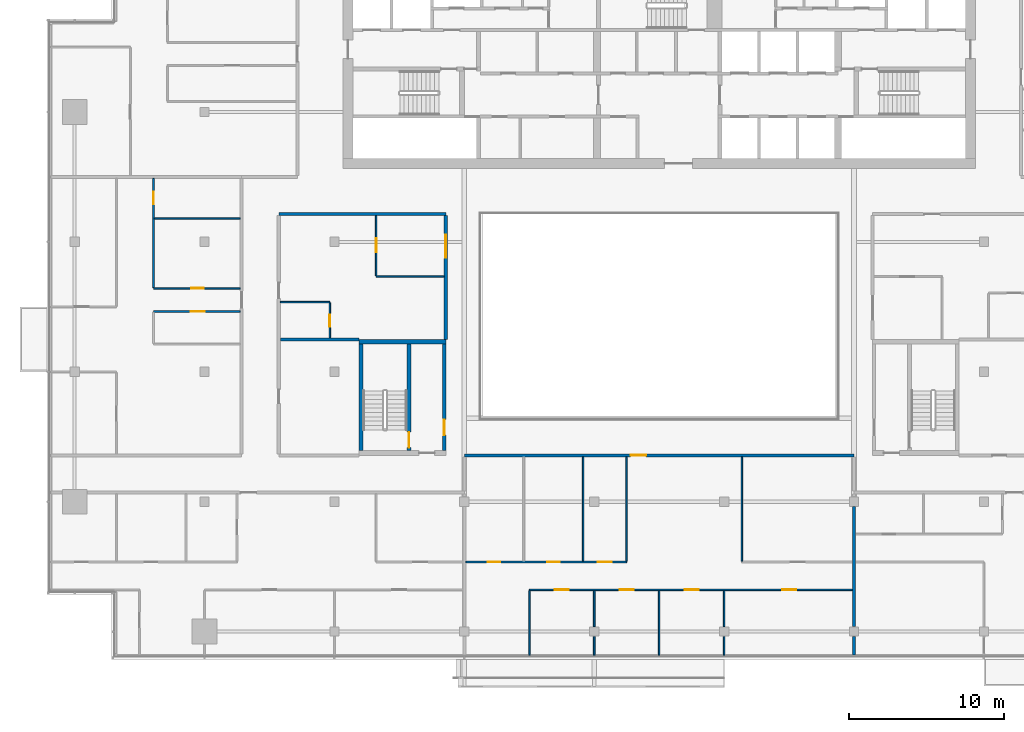
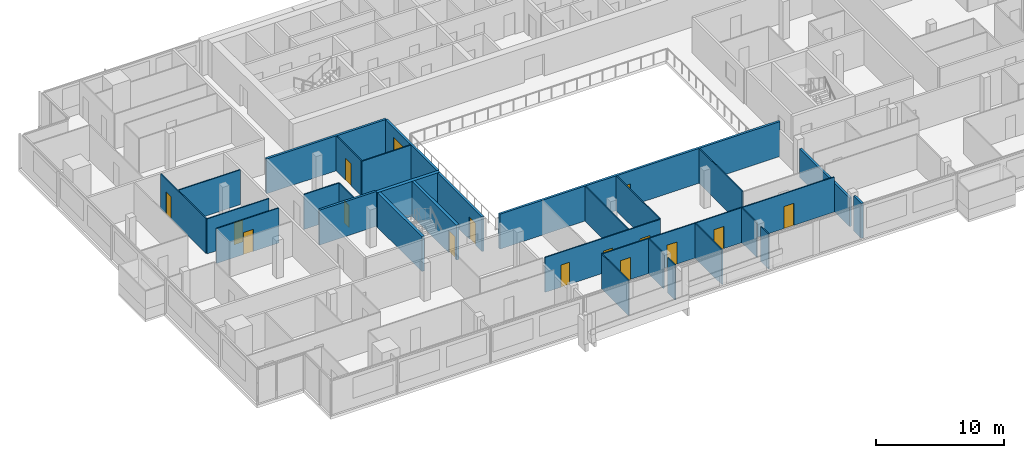
# One storey, part 18 of 26: 29 walls, 15 doors, 1 window, 16 openings.
"""IFC4 building model written with IfcOpenShell, lengths in metres."""

from ifc_helpers import new_model, si_unit, direction, frame, frame_2d, origin, place, context, subcontext, project, spatial, rectangle, extrude, material, layer, layer_set, type_object, element, fill, save


model = new_model("IFC4")

# Units and contexts
model_context = context("Model", 3, precision=1e-05, world=origin(), true_north=direction((0.0, 1.0)))
body_context = subcontext(model_context, "Body", "Model", "MODEL_VIEW")
ifc_project = project(units=[si_unit("LENGTHUNIT", "METRE"), si_unit("AREAUNIT", "SQUARE_METRE"), si_unit("VOLUMEUNIT", "CUBIC_METRE"), si_unit("PLANEANGLEUNIT", "RADIAN"), si_unit("MASSUNIT", "GRAM", prefix="KILO")], contexts=[model_context])

# Site, building, storey
site_placement = place(None, origin())
site = spatial("IfcSite", under=ifc_project, at=site_placement, CompositionType="ELEMENT")
building_placement = place(site_placement, origin())
building = spatial("IfcBuilding", under=site, at=building_placement, Name="Saffron Gate Tower", CompositionType="ELEMENT")
storey_placement = place(building_placement, frame((0.0, 0.0, 230.699951171875)))
storey = spatial("IfcBuildingStorey", under=building, at=storey_placement, Name="L56", CompositionType="ELEMENT", Elevation=230.699951171875)

# Wall, opening, door
ifc_material_1 = material(Name="Gypsum board partition on steel studs", Category="steel")
ifc_layer_1 = layer(ifc_material_1, 0.199951171875)
ifc_layer_set_1 = layer_set([ifc_layer_1], Name="CW10 Core partition 200")
wall_type_1 = type_object("IfcWallType", Name="CW10 Core partition 200", PredefinedType="PARTITIONING", material=ifc_layer_set_1)
wall_1_placement = place(storey_placement, frame((73.699951171875, 43.5, 0.0), z_axis=(0.0, 0.0, 1.0), x_axis=(0.0, 1.0, 0.0)))
wall_1 = element("IfcWall", 1, at=wall_1_placement, inside=storey, type_object=wall_type_1, Name="Wall CW10-L56-D-4", PredefinedType="PARTITIONING", context=body_context, shape_type="SweptSolid", body=[
    extrude(rectangle(XDim=6.89990234375, YDim=0.199951171875, at=frame_2d((3.449951171875, 0.0))), origin(), (0.0, 0.0, 1.0), 3.320068359375),
])
opening_1_placement = place(wall_1_placement, frame((1.0, 0.0, 0.0)))
opening_1 = element("IfcOpeningElement", 2, at=opening_1_placement, cuts=wall_1, Name="Opening CR-19", PredefinedType="OPENING", context=body_context, shape_type="SweptSolid", body=[
    extrude(rectangle(XDim=1.0, YDim=2.10009765625, at=frame_2d((0.5, 1.050048828125))), frame((0.0, 0.10986328125, 0.0), z_axis=(0.0, -1.0, 0.0), x_axis=(1.0, 0.0, 0.0)), (0.0, 0.0, 1.0), 0.219970703125),
])
ifc_material_2 = material(Name="Steel fire door set", Category="steel")
door_type_1 = type_object("IfcDoorType", Name="CD4 Lobby door 1000x2100 EI 120", OperationType="NOTDEFINED", PredefinedType="DOOR", material=ifc_material_2)
door_1_placement = place(opening_1_placement, origin())
door_1 = element("IfcDoor", 3, at=door_1_placement, inside=storey, type_object=door_type_1, Name="DOOR CR-19", OperationType="SINGLE_SWING_RIGHT", OverallHeight=2.10009765625, OverallWidth=1.0, PredefinedType="DOOR", context=body_context, shape_type="SweptSolid", body=[
    extrude(rectangle(XDim=1.0, YDim=2.10009765625, at=frame_2d((0.5, 1.050048828125))), frame((0.0, 0.02490234375, 0.0), z_axis=(0.0, -1.0, 0.0), x_axis=(1.0, 0.0, 0.0)), (0.0, 0.0, 1.0), 0.050048828125),
])
fill(opening_1, door_1)

# Wall
ifc_material_3 = material(Name="Concrete C60", Category="concrete")
ifc_layer_2 = layer(ifc_material_3, 0.25)
ifc_layer_set_2 = layer_set([ifc_layer_2], Name="CW14 RC core wall 250 C60")
wall_type_2 = type_object("IfcWallType", Name="CW14 RC core wall 250 C60", PredefinedType="SOLIDWALL", material=ifc_layer_set_2)
wall_2_placement = place(storey_placement, frame((68.324951171875, 43.5, 0.0), z_axis=(0.0, 0.0, 1.0), x_axis=(0.0, 1.0, 0.0)))
element("IfcWall", 4, at=wall_2_placement, inside=storey, type_object=wall_type_2, Name="Wall CW14-L56-D-2", PredefinedType="SOLIDWALL", context=body_context, shape_type="SweptSolid", body=[
    extrude(rectangle(XDim=6.89990234375, YDim=0.25, at=frame_2d((3.449951171875, 0.0))), origin(), (0.0, 0.0, 1.0), 3.320068359375),
])

# Wall, opening, door
wall_3_placement = place(storey_placement, frame((71.425048828125, 43.5, 0.0), z_axis=(0.0, 0.0, 1.0), x_axis=(0.0, 1.0, 0.0)))
wall_3 = element("IfcWall", 5, at=wall_3_placement, inside=storey, type_object=wall_type_2, Name="Wall CW14-L56-D-3", PredefinedType="SOLIDWALL", context=body_context, shape_type="SweptSolid", body=[
    extrude(rectangle(XDim=6.89990234375, YDim=0.25, at=frame_2d((3.449951171875, 0.0))), origin(), (0.0, 0.0, 1.0), 3.320068359375),
])
opening_2_placement = place(wall_3_placement, frame((0.199951171875, 0.0, 0.0)))
opening_2 = element("IfcOpeningElement", 6, at=opening_2_placement, cuts=wall_3, Name="Opening CR-20", PredefinedType="OPENING", context=body_context, shape_type="SweptSolid", body=[
    extrude(rectangle(XDim=1.0, YDim=2.10009765625, at=frame_2d((0.5, 1.050048828125))), frame((0.0, 0.135009765625, 0.0), z_axis=(0.0, -1.0, 0.0), x_axis=(1.0, 0.0, 0.0)), (0.0, 0.0, 1.0), 0.27001953125),
])
door_type_2 = type_object("IfcDoorType", Name="CD5 Stair door 1000x2100 EI 120", OperationType="NOTDEFINED", PredefinedType="DOOR", material=ifc_material_2)
door_2_placement = place(opening_2_placement, origin())
door_2 = element("IfcDoor", 7, at=door_2_placement, inside=storey, type_object=door_type_2, Name="DOOR CR-20", OperationType="SINGLE_SWING_LEFT", OverallHeight=2.10009765625, OverallWidth=1.0, PredefinedType="DOOR", context=body_context, shape_type="SweptSolid", body=[
    extrude(rectangle(XDim=1.0, YDim=2.10009765625, at=frame_2d((0.5, 1.050048828125))), frame((0.0, 0.02490234375, 0.0), z_axis=(0.0, -1.0, 0.0), x_axis=(1.0, 0.0, 0.0)), (0.0, 0.0, 1.0), 0.050048828125),
])
fill(opening_2, door_2)

# Wall
ifc_layer_3 = layer(ifc_material_3, 0.300048828125)
ifc_layer_set_3 = layer_set([ifc_layer_3], Name="CW17 RC core wall 300 C60")
wall_type_3 = type_object("IfcWallType", Name="CW17 RC core wall 300 C60", PredefinedType="SOLIDWALL", material=ifc_layer_set_3)
wall_4_placement = place(storey_placement, frame((68.199951171875, 50.550048828125, 0.0), z_axis=(0.0, 0.0, 1.0), x_axis=(1.0, 0.0, 0.0)))
element("IfcWall", 8, at=wall_4_placement, inside=storey, type_object=wall_type_3, Name="Wall CW17-L56-D-5", PredefinedType="SOLIDWALL", context=body_context, shape_type="SweptSolid", body=[
    extrude(rectangle(XDim=5.60009765625, YDim=0.300048828125, at=frame_2d((2.800048828125, 0.0))), origin(), (0.0, 0.0, 1.0), 3.320068359375),
])

# Wall, openings, doors
ifc_material_4 = material(Name="Plasterboard on steel studs", Category="steel")
ifc_layer_4 = layer(ifc_material_4, 0.10009765625)
ifc_layer_set_4 = layer_set([ifc_layer_4], Name="PW1 Partition 100")
wall_type_4 = type_object("IfcWallType", Name="PW1 Partition 100", PredefinedType="PARTITIONING", material=ifc_layer_set_4)
wall_5_placement = place(storey_placement, frame((100.10009765625, 34.5, 0.0), z_axis=(0.0, 0.0, 1.0), x_axis=(-1.0, 0.0, 0.0)))
wall_5 = element("IfcWall", 9, at=wall_5_placement, inside=storey, type_object=wall_type_4, Name="Partition D3-3", PredefinedType="PARTITIONING", context=body_context, shape_type="SweptSolid", body=[
    extrude(rectangle(XDim=20.900146484375, YDim=0.10009765625, at=frame_2d((10.4501953125, 0.0))), origin(), (0.0, 0.0, 1.0), 3.320068359375),
])
opening_3_placement = place(wall_5_placement, frame((3.64990234375, 0.0, 0.0)))
opening_3 = element("IfcOpeningElement", 10, at=opening_3_placement, cuts=wall_5, Name="Opening D3-18", PredefinedType="OPENING", context=body_context, shape_type="SweptSolid", body=[
    extrude(rectangle(XDim=0.89990234375, YDim=2.10009765625, at=frame_2d((0.449951171875, 1.050048828125))), frame((0.0, 0.06005859375, 0.0), z_axis=(0.0, -1.0, 0.0), x_axis=(1.0, 0.0, 0.0)), (0.0, 0.0, 1.0), 0.1201171875),
])
opening_4_placement = place(wall_5_placement, frame((9.949951171875, 0.0, 0.0)))
opening_4 = element("IfcOpeningElement", 11, at=opening_4_placement, cuts=wall_5, Name="Opening D3-17", PredefinedType="OPENING", context=body_context, shape_type="SweptSolid", body=[
    extrude(rectangle(XDim=0.89990234375, YDim=2.10009765625, at=frame_2d((0.449951171875, 1.050048828125))), frame((0.0, 0.06005859375, 0.0), z_axis=(0.0, -1.0, 0.0), x_axis=(1.0, 0.0, 0.0)), (0.0, 0.0, 1.0), 0.1201171875),
])
opening_5_placement = place(wall_5_placement, frame((14.14990234375, 0.0, 0.0)))
opening_5 = element("IfcOpeningElement", 12, at=opening_5_placement, cuts=wall_5, Name="Opening D3-16", PredefinedType="OPENING", context=body_context, shape_type="SweptSolid", body=[
    extrude(rectangle(XDim=0.89990234375, YDim=2.10009765625, at=frame_2d((0.449951171875, 1.050048828125))), frame((0.0, 0.06005859375, 0.0), z_axis=(0.0, -1.0, 0.0), x_axis=(1.0, 0.0, 0.0)), (0.0, 0.0, 1.0), 0.1201171875),
])
opening_6_placement = place(wall_5_placement, frame((18.35009765625, 0.0, 0.0)))
opening_6 = element("IfcOpeningElement", 13, at=opening_6_placement, cuts=wall_5, Name="Opening D3-15", PredefinedType="OPENING", context=body_context, shape_type="SweptSolid", body=[
    extrude(rectangle(XDim=0.89990234375, YDim=2.10009765625, at=frame_2d((0.449951171875, 1.050048828125))), frame((0.0, 0.06005859375, 0.0), z_axis=(0.0, -1.0, 0.0), x_axis=(1.0, 0.0, 0.0)), (0.0, 0.0, 1.0), 0.1201171875),
])
ifc_material_5 = material(Name="Timber door set", Category="wood")
door_type_3 = type_object("IfcDoorType", Name="RD1 Room door 900x2100", OperationType="NOTDEFINED", PredefinedType="DOOR", material=ifc_material_5)
door_3_placement = place(opening_3_placement, origin())
door_3 = element("IfcDoor", 14, at=door_3_placement, inside=storey, type_object=door_type_3, Name="Door D3-18", OperationType="SINGLE_SWING_LEFT", OverallHeight=2.10009765625, OverallWidth=0.89990234375, PredefinedType="DOOR", context=body_context, shape_type="SweptSolid", body=[
    extrude(rectangle(XDim=0.89990234375, YDim=2.10009765625, at=frame_2d((0.449951171875, 1.050048828125))), frame((0.0, 0.02490234375, 0.0), z_axis=(0.0, -1.0, 0.0), x_axis=(1.0, 0.0, 0.0)), (0.0, 0.0, 1.0), 0.050048828125),
])
fill(opening_3, door_3)
door_4_placement = place(opening_4_placement, origin())
door_4 = element("IfcDoor", 15, at=door_4_placement, inside=storey, type_object=door_type_3, Name="Door D3-17", OperationType="SINGLE_SWING_LEFT", OverallHeight=2.10009765625, OverallWidth=0.89990234375, PredefinedType="DOOR", context=body_context, shape_type="SweptSolid", body=[
    extrude(rectangle(XDim=0.89990234375, YDim=2.10009765625, at=frame_2d((0.449951171875, 1.050048828125))), frame((0.0, 0.02490234375, 0.0), z_axis=(0.0, -1.0, 0.0), x_axis=(1.0, 0.0, 0.0)), (0.0, 0.0, 1.0), 0.050048828125),
])
fill(opening_4, door_4)
door_5_placement = place(opening_5_placement, origin())
door_5 = element("IfcDoor", 16, at=door_5_placement, inside=storey, type_object=door_type_3, Name="Door D3-16", OperationType="SINGLE_SWING_RIGHT", OverallHeight=2.10009765625, OverallWidth=0.89990234375, PredefinedType="DOOR", context=body_context, shape_type="SweptSolid", body=[
    extrude(rectangle(XDim=0.89990234375, YDim=2.10009765625, at=frame_2d((0.449951171875, 1.050048828125))), frame((0.0, 0.02490234375, 0.0), z_axis=(0.0, -1.0, 0.0), x_axis=(1.0, 0.0, 0.0)), (0.0, 0.0, 1.0), 0.050048828125),
])
fill(opening_5, door_5)
door_6_placement = place(opening_6_placement, origin())
door_6 = element("IfcDoor", 17, at=door_6_placement, inside=storey, type_object=door_type_3, Name="Door D3-15", OperationType="SINGLE_SWING_LEFT", OverallHeight=2.10009765625, OverallWidth=0.89990234375, PredefinedType="DOOR", context=body_context, shape_type="SweptSolid", body=[
    extrude(rectangle(XDim=0.89990234375, YDim=2.10009765625, at=frame_2d((0.449951171875, 1.050048828125))), frame((0.0, 0.02490234375, 0.0), z_axis=(0.0, -1.0, 0.0), x_axis=(1.0, 0.0, 0.0)), (0.0, 0.0, 1.0), 0.050048828125),
])
fill(opening_6, door_6)

# Wall, opening, door
wall_6_placement = place(storey_placement, frame((60.5, 52.5, 0.0), z_axis=(0.0, 0.0, 1.0), x_axis=(-1.0, 0.0, 0.0)))
wall_6 = element("IfcWall", 18, at=wall_6_placement, inside=storey, type_object=wall_type_4, Name="Partition D3-26", PredefinedType="PARTITIONING", context=body_context, shape_type="SweptSolid", body=[
    extrude(rectangle(XDim=5.60009765625, YDim=0.10009765625, at=frame_2d((2.800048828125, 0.0))), origin(), (0.0, 0.0, 1.0), 3.320068359375),
])
opening_7_placement = place(wall_6_placement, frame((2.300048828125, 0.0, 0.0)))
opening_7 = element("IfcOpeningElement", 19, at=opening_7_placement, cuts=wall_6, Name="Opening D3-27", PredefinedType="OPENING", context=body_context, shape_type="SweptSolid", body=[
    extrude(rectangle(XDim=0.89990234375, YDim=2.10009765625, at=frame_2d((0.449951171875, 1.050048828125))), frame((0.0, 0.06005859375, 0.0), z_axis=(0.0, -1.0, 0.0), x_axis=(1.0, 0.0, 0.0)), (0.0, 0.0, 1.0), 0.1201171875),
])
door_7_placement = place(opening_7_placement, origin())
door_7 = element("IfcDoor", 20, at=door_7_placement, inside=storey, type_object=door_type_3, Name="Door D3-27", OperationType="SINGLE_SWING_LEFT", OverallHeight=2.10009765625, OverallWidth=0.89990234375, PredefinedType="DOOR", context=body_context, shape_type="SweptSolid", body=[
    extrude(rectangle(XDim=0.89990234375, YDim=2.10009765625, at=frame_2d((0.449951171875, 1.050048828125))), frame((0.0, 0.02490234375, 0.0), z_axis=(0.0, -1.0, 0.0), x_axis=(1.0, 0.0, 0.0)), (0.0, 0.0, 1.0), 0.050048828125),
])
fill(opening_7, door_7)

# Wall
wall_7_placement = place(storey_placement, frame((63.10009765625, 53.10009765625, 0.0), z_axis=(0.0, 0.0, 1.0), x_axis=(1.0, 0.0, 0.0)))
element("IfcWall", 21, at=wall_7_placement, inside=storey, type_object=wall_type_4, Name="Partition D3-29", PredefinedType="PARTITIONING", context=body_context, shape_type="SweptSolid", body=[
    extrude(rectangle(XDim=3.199951171875, YDim=0.10009765625, at=frame_2d((1.60009765625, 0.0))), origin(), (0.0, 0.0, 1.0), 3.320068359375),
])

# Wall, opening, door
wall_8_placement = place(storey_placement, frame((54.89990234375, 54.0, 0.0), z_axis=(0.0, 0.0, 1.0), x_axis=(1.0, 0.0, 0.0)))
wall_8 = element("IfcWall", 22, at=wall_8_placement, inside=storey, type_object=wall_type_4, Name="Partition D3-31", PredefinedType="PARTITIONING", context=body_context, shape_type="SweptSolid", body=[
    extrude(rectangle(XDim=5.60009765625, YDim=0.10009765625, at=frame_2d((2.800048828125, 0.0))), origin(), (0.0, 0.0, 1.0), 3.320068359375),
])
opening_8_placement = place(wall_8_placement, frame((2.449951171875, 0.0, 0.0)))
opening_8 = element("IfcOpeningElement", 23, at=opening_8_placement, cuts=wall_8, Name="Opening D3-45", PredefinedType="OPENING", context=body_context, shape_type="SweptSolid", body=[
    extrude(rectangle(XDim=0.800048828125, YDim=2.10009765625, at=frame_2d((0.39990234375, 1.050048828125))), frame((0.0, 0.06005859375, 0.0), z_axis=(0.0, -1.0, 0.0), x_axis=(1.0, 0.0, 0.0)), (0.0, 0.0, 1.0), 0.1201171875),
])
door_type_4 = type_object("IfcDoorType", Name="RD2 Bathroom door 800x2100", OperationType="NOTDEFINED", PredefinedType="DOOR", material=ifc_material_5)
door_8_placement = place(opening_8_placement, origin())
door_8 = element("IfcDoor", 24, at=door_8_placement, inside=storey, type_object=door_type_4, Name="Door D3-45", OperationType="SINGLE_SWING_RIGHT", OverallHeight=2.10009765625, OverallWidth=0.800048828125, PredefinedType="DOOR", context=body_context, shape_type="SweptSolid", body=[
    extrude(rectangle(XDim=0.800048828125, YDim=2.10009765625, at=frame_2d((0.39990234375, 1.050048828125))), frame((0.0, 0.02490234375, 0.0), z_axis=(0.0, -1.0, 0.0), x_axis=(1.0, 0.0, 0.0)), (0.0, 0.0, 1.0), 0.050048828125),
])
fill(opening_8, door_8)

# Walls
wall_9_placement = place(storey_placement, frame((69.300048828125, 54.75, 0.0), z_axis=(0.0, 0.0, 1.0), x_axis=(1.0, 0.0, 0.0)))
element("IfcWall", 25, at=wall_9_placement, inside=storey, type_object=wall_type_4, Name="Partition D3-32", PredefinedType="PARTITIONING", context=body_context, shape_type="SweptSolid", body=[
    extrude(rectangle(XDim=4.39990234375, YDim=0.10009765625, at=frame_2d((2.199951171875, 0.0))), origin(), (0.0, 0.0, 1.0), 3.320068359375),
])
wall_10_placement = place(storey_placement, frame((54.949951171875, 58.5, 0.0), z_axis=(0.0, 0.0, 1.0), x_axis=(1.0, 0.0, 0.0)))
element("IfcWall", 26, at=wall_10_placement, inside=storey, type_object=wall_type_4, Name="Partition D3-35", PredefinedType="PARTITIONING", context=body_context, shape_type="SweptSolid", body=[
    extrude(rectangle(XDim=5.550048828125, YDim=0.10009765625, at=frame_2d((2.77490234375, 0.0))), origin(), (0.0, 0.0, 1.0), 3.320068359375),
])

# Wall, opening, door
wall_11_placement = place(storey_placement, frame((54.89990234375, 61.10009765625, 0.0), z_axis=(0.0, 0.0, 1.0), x_axis=(0.0, -1.0, 0.0)))
wall_11 = element("IfcWall", 27, at=wall_11_placement, inside=storey, type_object=wall_type_4, Name="Partition D3-61", PredefinedType="PARTITIONING", context=body_context, shape_type="SweptSolid", body=[
    extrude(rectangle(XDim=7.050048828125, YDim=0.10009765625, at=frame_2d((3.52490234375, 0.0))), origin(), (0.0, 0.0, 1.0), 3.320068359375),
])
opening_9_placement = place(wall_11_placement, frame((0.85009765625, 0.0, 0.0)))
opening_9 = element("IfcOpeningElement", 28, at=opening_9_placement, cuts=wall_11, Name="Opening D3-46", PredefinedType="OPENING", context=body_context, shape_type="SweptSolid", body=[
    extrude(rectangle(XDim=0.800048828125, YDim=2.10009765625, at=frame_2d((0.39990234375, 1.050048828125))), frame((0.0, 0.06005859375, 0.0), z_axis=(0.0, -1.0, 0.0), x_axis=(1.0, 0.0, 0.0)), (0.0, 0.0, 1.0), 0.1201171875),
])
door_9_placement = place(opening_9_placement, origin())
door_9 = element("IfcDoor", 29, at=door_9_placement, inside=storey, type_object=door_type_4, Name="Door D3-46", OperationType="SINGLE_SWING_LEFT", OverallHeight=2.10009765625, OverallWidth=0.800048828125, PredefinedType="DOOR", context=body_context, shape_type="SweptSolid", body=[
    extrude(rectangle(XDim=0.800048828125, YDim=2.10009765625, at=frame_2d((0.39990234375, 1.050048828125))), frame((0.0, 0.02490234375, 0.0), z_axis=(0.0, -1.0, 0.0), x_axis=(1.0, 0.0, 0.0)), (0.0, 0.0, 1.0), 0.050048828125),
])
fill(opening_9, door_9)

wall_12_placement = place(storey_placement, frame((66.300048828125, 50.800048828125, 0.0), z_axis=(0.0, 0.0, 1.0), x_axis=(0.0, 1.0, 0.0)))
wall_12 = element("IfcWall", 30, at=wall_12_placement, inside=storey, type_object=wall_type_4, Name="Partition D3-71", PredefinedType="PARTITIONING", context=body_context, shape_type="SweptSolid", body=[
    extrude(rectangle(XDim=2.25, YDim=0.10009765625, at=frame_2d((1.125, 0.0))), origin(), (0.0, 0.0, 1.0), 3.320068359375),
])
opening_10_placement = place(wall_12_placement, frame((0.699951171875, 0.0, 0.0)))
opening_10 = element("IfcOpeningElement", 31, at=opening_10_placement, cuts=wall_12, Name="Opening D3-52", PredefinedType="OPENING", context=body_context, shape_type="SweptSolid", body=[
    extrude(rectangle(XDim=0.800048828125, YDim=2.10009765625, at=frame_2d((0.39990234375, 1.050048828125))), frame((0.0, 0.06005859375, 0.0), z_axis=(0.0, -1.0, 0.0), x_axis=(1.0, 0.0, 0.0)), (0.0, 0.0, 1.0), 0.1201171875),
])
door_10_placement = place(opening_10_placement, origin())
door_10 = element("IfcDoor", 32, at=door_10_placement, inside=storey, type_object=door_type_4, Name="Door D3-52", OperationType="SINGLE_SWING_LEFT", OverallHeight=2.10009765625, OverallWidth=0.800048828125, PredefinedType="DOOR", context=body_context, shape_type="SweptSolid", body=[
    extrude(rectangle(XDim=0.800048828125, YDim=2.10009765625, at=frame_2d((0.39990234375, 1.050048828125))), frame((0.0, 0.02490234375, 0.0), z_axis=(0.0, -1.0, 0.0), x_axis=(1.0, 0.0, 0.0)), (0.0, 0.0, 1.0), 0.050048828125),
])
fill(opening_10, door_10)

wall_13_placement = place(storey_placement, frame((69.300048828125, 58.699951171875, 0.0), z_axis=(0.0, 0.0, 1.0), x_axis=(0.0, -1.0, 0.0)))
wall_13 = element("IfcWall", 33, at=wall_13_placement, inside=storey, type_object=wall_type_4, Name="Partition D3-75", PredefinedType="PARTITIONING", context=body_context, shape_type="SweptSolid", body=[
    extrude(rectangle(XDim=3.89990234375, YDim=0.10009765625, at=frame_2d((1.949951171875, 0.0))), origin(), (0.0, 0.0, 1.0), 3.320068359375),
])
opening_11_placement = place(wall_13_placement, frame((1.47509765625, 0.0, 0.0)))
opening_11 = element("IfcOpeningElement", 34, at=opening_11_placement, cuts=wall_13, Name="Opening D3-37", PredefinedType="OPENING", context=body_context, shape_type="SweptSolid", body=[
    extrude(rectangle(XDim=0.89990234375, YDim=2.10009765625, at=frame_2d((0.449951171875, 1.050048828125))), frame((0.0, 0.06005859375, 0.0), z_axis=(0.0, -1.0, 0.0), x_axis=(1.0, 0.0, 0.0)), (0.0, 0.0, 1.0), 0.1201171875),
])
door_11_placement = place(opening_11_placement, origin())
door_11 = element("IfcDoor", 35, at=door_11_placement, inside=storey, type_object=door_type_3, Name="Door D3-37", OperationType="SINGLE_SWING_LEFT", OverallHeight=2.10009765625, OverallWidth=0.89990234375, PredefinedType="DOOR", context=body_context, shape_type="SweptSolid", body=[
    extrude(rectangle(XDim=0.89990234375, YDim=2.10009765625, at=frame_2d((0.449951171875, 1.050048828125))), frame((0.0, 0.02490234375, 0.0), z_axis=(0.0, -1.0, 0.0), x_axis=(1.0, 0.0, 0.0)), (0.0, 0.0, 1.0), 0.050048828125),
])
fill(opening_11, door_11)

# Walls
wall_14_placement = place(storey_placement, frame((79.199951171875, 34.449951171875, 0.0), z_axis=(0.0, 0.0, 1.0), x_axis=(0.0, -1.0, 0.0)))
element("IfcWall", 36, at=wall_14_placement, inside=storey, type_object=wall_type_4, Name="Partition D3-82", PredefinedType="PARTITIONING", context=body_context, shape_type="SweptSolid", body=[
    extrude(rectangle(XDim=4.169921875, YDim=0.10009765625, at=frame_2d((2.0849609375, 0.0))), origin(), (0.0, 0.0, 1.0), 3.320068359375),
])
wall_15_placement = place(storey_placement, frame((82.68115234375, 43.10009765625, 0.0), z_axis=(0.0, 0.0, 1.0), x_axis=(0.0, -1.0, 0.0)))
element("IfcWall", 37, at=wall_15_placement, inside=storey, type_object=wall_type_4, Name="Partition D3-83", PredefinedType="PARTITIONING", context=body_context, shape_type="SweptSolid", body=[
    extrude(rectangle(XDim=6.75, YDim=0.10009765625, at=frame_2d((3.375, 0.0))), origin(), (0.0, 0.0, 1.0), 3.320068359375),
])
wall_16_placement = place(storey_placement, frame((83.39990234375, 31.47998046875, 0.0), z_axis=(0.0, 0.0, 1.0), x_axis=(0.0, -1.0, 0.0)))
element("IfcWall", 38, at=wall_16_placement, inside=storey, type_object=wall_type_4, Name="Partition D3-84", PredefinedType="PARTITIONING", context=body_context, shape_type="SweptSolid", body=[
    extrude(rectangle(XDim=1.199951171875, YDim=0.10009765625, at=frame_2d((0.60009765625, 0.0))), origin(), (0.0, 0.0, 1.0), 3.320068359375),
])
wall_17_placement = place(storey_placement, frame((83.39990234375, 34.449951171875, 0.0), z_axis=(0.0, 0.0, 1.0), x_axis=(0.0, -1.0, 0.0)))
element("IfcWall", 39, at=wall_17_placement, inside=storey, type_object=wall_type_4, Name="Partition D3-85", PredefinedType="PARTITIONING", context=body_context, shape_type="SweptSolid", body=[
    extrude(rectangle(XDim=2.329833984375, YDim=0.10009765625, at=frame_2d((1.1650390625, 0.0))), origin(), (0.0, 0.0, 1.0), 3.320068359375),
])
wall_18_placement = place(storey_placement, frame((85.5, 43.10009765625, 0.0), z_axis=(0.0, 0.0, 1.0), x_axis=(0.0, -1.0, 0.0)))
element("IfcWall", 40, at=wall_18_placement, inside=storey, type_object=wall_type_4, Name="Partition D3-86", PredefinedType="PARTITIONING", context=body_context, shape_type="SweptSolid", body=[
    extrude(rectangle(XDim=6.75, YDim=0.10009765625, at=frame_2d((3.375, 0.0))), origin(), (0.0, 0.0, 1.0), 3.320068359375),
])
wall_19_placement = place(storey_placement, frame((87.60009765625, 34.449951171875, 0.0), z_axis=(0.0, 0.0, 1.0), x_axis=(0.0, -1.0, 0.0)))
element("IfcWall", 41, at=wall_19_placement, inside=storey, type_object=wall_type_4, Name="Partition D3-87", PredefinedType="PARTITIONING", context=body_context, shape_type="SweptSolid", body=[
    extrude(rectangle(XDim=4.169921875, YDim=0.10009765625, at=frame_2d((2.0849609375, 0.0))), origin(), (0.0, 0.0, 1.0), 3.320068359375),
])
wall_20_placement = place(storey_placement, frame((91.800048828125, 31.47998046875, 0.0), z_axis=(0.0, 0.0, 1.0), x_axis=(0.0, -1.0, 0.0)))
element("IfcWall", 42, at=wall_20_placement, inside=storey, type_object=wall_type_4, Name="Partition D3-88", PredefinedType="PARTITIONING", context=body_context, shape_type="SweptSolid", body=[
    extrude(rectangle(XDim=1.199951171875, YDim=0.10009765625, at=frame_2d((0.60009765625, 0.0))), origin(), (0.0, 0.0, 1.0), 3.320068359375),
])
wall_21_placement = place(storey_placement, frame((91.800048828125, 34.449951171875, 0.0), z_axis=(0.0, 0.0, 1.0), x_axis=(0.0, -1.0, 0.0)))
element("IfcWall", 43, at=wall_21_placement, inside=storey, type_object=wall_type_4, Name="Partition D3-89", PredefinedType="PARTITIONING", context=body_context, shape_type="SweptSolid", body=[
    extrude(rectangle(XDim=2.329833984375, YDim=0.10009765625, at=frame_2d((1.1650390625, 0.0))), origin(), (0.0, 0.0, 1.0), 3.320068359375),
])
wall_22_placement = place(storey_placement, frame((92.94189453125, 43.10009765625, 0.0), z_axis=(0.0, 0.0, 1.0), x_axis=(0.0, -1.0, 0.0)))
element("IfcWall", 44, at=wall_22_placement, inside=storey, type_object=wall_type_4, Name="Partition D3-90", PredefinedType="PARTITIONING", context=body_context, shape_type="SweptSolid", body=[
    extrude(rectangle(XDim=6.75, YDim=0.10009765625, at=frame_2d((3.375, 0.0))), origin(), (0.0, 0.0, 1.0), 3.320068359375),
])

# Wall, openings, doors
wall_23_placement = place(storey_placement, frame((75.10009765625, 36.300048828125, 0.0), z_axis=(0.0, 0.0, 1.0), x_axis=(1.0, 0.0, 0.0)))
wall_23 = element("IfcWall", 45, at=wall_23_placement, inside=storey, type_object=wall_type_4, Name="Partition D3-115", PredefinedType="PARTITIONING", context=body_context, shape_type="SweptSolid", body=[
    extrude(rectangle(XDim=10.39990234375, YDim=0.10009765625, at=frame_2d((5.199951171875, 0.0))), origin(), (0.0, 0.0, 1.0), 3.320068359375),
])
opening_12_placement = place(wall_23_placement, frame((1.42041015625, 0.0, 0.0)))
opening_12 = element("IfcOpeningElement", 46, at=opening_12_placement, cuts=wall_23, Name="Opening D3-41", PredefinedType="OPENING", context=body_context, shape_type="SweptSolid", body=[
    extrude(rectangle(XDim=0.800048828125, YDim=2.10009765625, at=frame_2d((0.39990234375, 1.050048828125))), frame((0.0, 0.06005859375, 0.0), z_axis=(0.0, -1.0, 0.0), x_axis=(1.0, 0.0, 0.0)), (0.0, 0.0, 1.0), 0.1201171875),
])
opening_13_placement = place(wall_23_placement, frame((5.260986328125, 0.0, 0.0)))
opening_13 = element("IfcOpeningElement", 47, at=opening_13_placement, cuts=wall_23, Name="Opening D3-42", PredefinedType="OPENING", context=body_context, shape_type="SweptSolid", body=[
    extrude(rectangle(XDim=0.800048828125, YDim=2.10009765625, at=frame_2d((0.39990234375, 1.050048828125))), frame((0.0, 0.06005859375, 0.0), z_axis=(0.0, -1.0, 0.0), x_axis=(1.0, 0.0, 0.0)), (0.0, 0.0, 1.0), 0.1201171875),
])
opening_14_placement = place(wall_23_placement, frame((8.54052734375, 0.0, 0.0)))
opening_14 = element("IfcOpeningElement", 48, at=opening_14_placement, cuts=wall_23, Name="Opening D3-20", PredefinedType="OPENING", context=body_context, shape_type="SweptSolid", body=[
    extrude(rectangle(XDim=0.89990234375, YDim=2.10009765625, at=frame_2d((0.449951171875, 1.050048828125))), frame((0.0, 0.06005859375, 0.0), z_axis=(0.0, -1.0, 0.0), x_axis=(1.0, 0.0, 0.0)), (0.0, 0.0, 1.0), 0.1201171875),
])
door_12_placement = place(opening_14_placement, origin())
door_12 = element("IfcDoor", 49, at=door_12_placement, inside=storey, type_object=door_type_3, Name="Door D3-20", OperationType="SINGLE_SWING_LEFT", OverallHeight=2.10009765625, OverallWidth=0.89990234375, PredefinedType="DOOR", context=body_context, shape_type="SweptSolid", body=[
    extrude(rectangle(XDim=0.89990234375, YDim=2.10009765625, at=frame_2d((0.449951171875, 1.050048828125))), frame((0.0, 0.02490234375, 0.0), z_axis=(0.0, -1.0, 0.0), x_axis=(1.0, 0.0, 0.0)), (0.0, 0.0, 1.0), 0.050048828125),
])
fill(opening_14, door_12)
door_13_placement = place(opening_12_placement, origin())
door_13 = element("IfcDoor", 50, at=door_13_placement, inside=storey, type_object=door_type_4, Name="Door D3-41", OperationType="SINGLE_SWING_LEFT", OverallHeight=2.10009765625, OverallWidth=0.800048828125, PredefinedType="DOOR", context=body_context, shape_type="SweptSolid", body=[
    extrude(rectangle(XDim=0.800048828125, YDim=2.10009765625, at=frame_2d((0.39990234375, 1.050048828125))), frame((0.0, 0.02490234375, 0.0), z_axis=(0.0, -1.0, 0.0), x_axis=(1.0, 0.0, 0.0)), (0.0, 0.0, 1.0), 0.050048828125),
])
fill(opening_12, door_13)
door_14_placement = place(opening_13_placement, origin())
door_14 = element("IfcDoor", 51, at=door_14_placement, inside=storey, type_object=door_type_4, Name="Door D3-42", OperationType="SINGLE_SWING_LEFT", OverallHeight=2.10009765625, OverallWidth=0.800048828125, PredefinedType="DOOR", context=body_context, shape_type="SweptSolid", body=[
    extrude(rectangle(XDim=0.800048828125, YDim=2.10009765625, at=frame_2d((0.39990234375, 1.050048828125))), frame((0.0, 0.02490234375, 0.0), z_axis=(0.0, -1.0, 0.0), x_axis=(1.0, 0.0, 0.0)), (0.0, 0.0, 1.0), 0.050048828125),
])
fill(opening_13, door_14)

# Walls
ifc_material_6 = material(Name="Clay brick masonry, rendered", Category="masonry")
ifc_layer_5 = layer(ifc_material_6, 0.199951171875)
ifc_layer_set_5 = layer_set([ifc_layer_5], Name="PW2 Demising wall 200")
wall_type_5 = type_object("IfcWallType", Name="PW2 Demising wall 200", PredefinedType="PARTITIONING", material=ifc_layer_set_5)
wall_24_placement = place(storey_placement, frame((63.10009765625, 50.699951171875, 0.0), z_axis=(0.0, 0.0, 1.0), x_axis=(1.0, 0.0, 0.0)))
element("IfcWall", 52, at=wall_24_placement, inside=storey, type_object=wall_type_5, Name="Wall D3-24", PredefinedType="PARTITIONING", context=body_context, shape_type="SweptSolid", body=[
    extrude(rectangle(XDim=5.099853515625, YDim=0.199951171875, at=frame_2d((2.5498046875, 0.0))), origin(), (0.0, 0.0, 1.0), 3.320068359375),
])
wall_25_placement = place(storey_placement, frame((100.199951171875, 31.47998046875, 0.0), z_axis=(0.0, 0.0, 1.0), x_axis=(0.0, -1.0, 0.0)))
element("IfcWall", 53, at=wall_25_placement, inside=storey, type_object=wall_type_5, Name="Wall D3-92", PredefinedType="PARTITIONING", context=body_context, shape_type="SweptSolid", body=[
    extrude(rectangle(XDim=1.199951171875, YDim=0.199951171875, at=frame_2d((0.60009765625, 0.0))), origin(), (0.0, 0.0, 1.0), 3.320068359375),
])
wall_26_placement = place(storey_placement, frame((100.199951171875, 39.8798828125, 0.0), z_axis=(0.0, 0.0, 1.0), x_axis=(0.0, -1.0, 0.0)))
element("IfcWall", 54, at=wall_26_placement, inside=storey, type_object=wall_type_5, Name="Wall D3-93", PredefinedType="PARTITIONING", context=body_context, shape_type="SweptSolid", body=[
    extrude(rectangle(XDim=7.759765625, YDim=0.199951171875, at=frame_2d((3.8798828125, 0.0))), origin(), (0.0, 0.0, 1.0), 2.719970703125),
])

# Wall, opening, door
ifc_layer_6 = layer(ifc_material_6, 0.199951171875)
ifc_layer_set_6 = layer_set([ifc_layer_6], Name="PW3 Corridor wall 200")
wall_type_6 = type_object("IfcWallType", Name="PW3 Corridor wall 200", PredefinedType="PARTITIONING", material=ifc_layer_set_6)
wall_27_placement = place(storey_placement, frame((100.199951171875, 43.199951171875, 0.0), z_axis=(0.0, 0.0, 1.0), x_axis=(-1.0, 0.0, 0.0)))
wall_27 = element("IfcWall", 55, at=wall_27_placement, inside=storey, type_object=wall_type_6, Name="Wall D3-14", PredefinedType="PARTITIONING", context=body_context, shape_type="SweptSolid", body=[
    extrude(rectangle(XDim=25.199951171875, YDim=0.199951171875, at=frame_2d((12.60009765625, 0.0))), origin(), (0.0, 0.0, 1.0), 3.320068359375),
])
opening_15_placement = place(wall_27_placement, frame((13.449951171875, 0.0, 0.0)))
opening_15 = element("IfcOpeningElement", 56, at=opening_15_placement, cuts=wall_27, Name="Opening D3-2", PredefinedType="OPENING", context=body_context, shape_type="SweptSolid", body=[
    extrude(rectangle(XDim=1.0, YDim=2.10009765625, at=frame_2d((0.5, 1.050048828125))), frame((0.0, 0.10986328125, 0.0), z_axis=(0.0, -1.0, 0.0), x_axis=(1.0, 0.0, 0.0)), (0.0, 0.0, 1.0), 0.219970703125),
])
ifc_material_7 = material(Name="Timber fire door set", Category="wood")
door_type_5 = type_object("IfcDoorType", Name="FD1 Flat entry door 1000x2100", OperationType="NOTDEFINED", PredefinedType="DOOR", material=ifc_material_7)
door_15_placement = place(opening_15_placement, origin())
door_15 = element("IfcDoor", 57, at=door_15_placement, inside=storey, type_object=door_type_5, Name="Door D3-2", OperationType="SINGLE_SWING_RIGHT", OverallHeight=2.10009765625, OverallWidth=1.0, PredefinedType="DOOR", context=body_context, shape_type="SweptSolid", body=[
    extrude(rectangle(XDim=1.0, YDim=2.10009765625, at=frame_2d((0.5, 1.050048828125))), frame((0.0, 0.02490234375, 0.0), z_axis=(0.0, -1.0, 0.0), x_axis=(1.0, 0.0, 0.0)), (0.0, 0.0, 1.0), 0.050048828125),
])
fill(opening_15, door_15)

# Wall
wall_28_placement = place(storey_placement, frame((63.0, 58.800048828125, 0.0), z_axis=(0.0, 0.0, 1.0), x_axis=(1.0, 0.0, 0.0)))
element("IfcWall", 58, at=wall_28_placement, inside=storey, type_object=wall_type_6, Name="Wall D3-36", PredefinedType="PARTITIONING", context=body_context, shape_type="SweptSolid", body=[
    extrude(rectangle(XDim=10.800048828125, YDim=0.199951171875, at=frame_2d((5.39990234375, 0.0))), origin(), (0.0, 0.0, 1.0), 3.320068359375),
])

# Wall, opening, window
wall_29_placement = place(storey_placement, frame((73.800048828125, 58.699951171875, 0.0), z_axis=(0.0, 0.0, 1.0), x_axis=(0.0, -1.0, 0.0)))
wall_29 = element("IfcWall", 59, at=wall_29_placement, inside=storey, type_object=wall_type_6, Name="Wall D3-76", PredefinedType="PARTITIONING", context=body_context, shape_type="SweptSolid", body=[
    extrude(rectangle(XDim=8.0, YDim=0.199951171875, at=frame_2d((4.0, 0.0))), origin(), (0.0, 0.0, 1.0), 3.320068359375),
])
opening_16_placement = place(wall_29_placement, frame((1.22509765625, 0.0, 0.89990234375)))
opening_16 = element("IfcOpeningElement", 60, at=opening_16_placement, cuts=wall_29, Name="Opening GW1", PredefinedType="OPENING", context=body_context, shape_type="SweptSolid", body=[
    extrude(rectangle(XDim=1.5, YDim=1.5, at=frame_2d((0.75, 0.75))), frame((0.0, 0.10986328125, 0.0), z_axis=(0.0, -1.0, 0.0), x_axis=(1.0, 0.0, 0.0)), (0.0, 0.0, 1.0), 0.219970703125),
])
ifc_material_8 = material(Name="Fire-resisting laminated glass in steel frame", Category="steel")
ifc_layer_7 = layer(ifc_material_8, 0.06005859375)
ifc_layer_set_7 = layer_set([ifc_layer_7], Name="GW1 Gallery window 1500x1500")
window_type = type_object("IfcWindowType", Name="GW1 Gallery window 1500x1500", PartitioningType="SINGLE_PANEL", PredefinedType="WINDOW", material=ifc_layer_set_7)
window_placement = place(opening_16_placement, origin())
window = element("IfcWindow", 61, at=window_placement, inside=storey, type_object=window_type, Name="GW1 window D3-H-B1", OverallHeight=1.5, OverallWidth=1.5, PartitioningType="SINGLE_PANEL", PredefinedType="WINDOW", context=body_context, shape_type="SweptSolid", body=[
    extrude(rectangle(XDim=1.5, YDim=1.5, at=frame_2d((0.75, 0.75))), frame((0.0, 0.030029296875, 0.0), z_axis=(0.0, -1.0, 0.0), x_axis=(1.0, 0.0, 0.0)), (0.0, 0.0, 1.0), 0.06005859375),
])
fill(opening_16, window)

save(model, "model.ifc")
